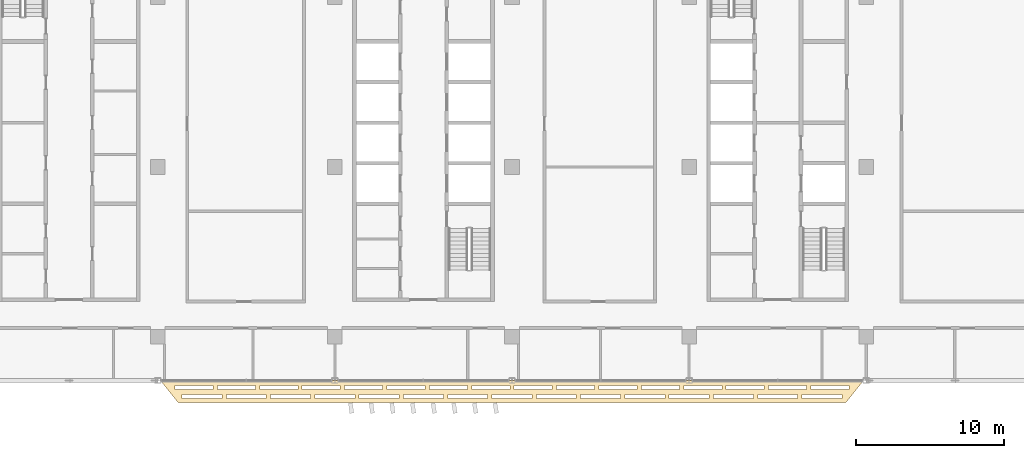
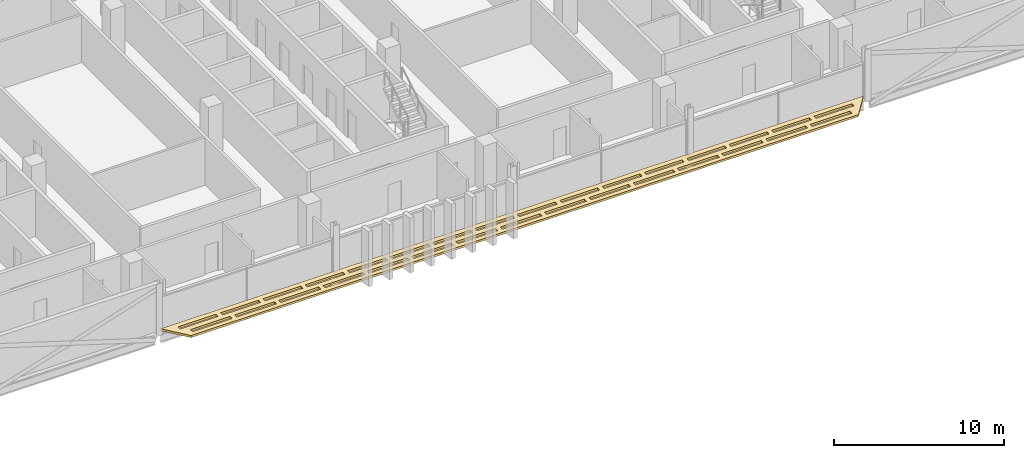
# One storey, part 29 of 33: 1 covering.
"""IFC4 building model written with IfcOpenShell, lengths in metres."""

from ifc_helpers import new_model, si_unit, direction, frame, origin, place, context, subcontext, project, spatial, polyline, outline, extrude, material, layer, layer_set, type_object, element, save


model = new_model("IFC4")

# Units and contexts
model_context = context("Model", 3, precision=1e-05, world=origin(), true_north=direction((0.0, 1.0)))
body_context = subcontext(model_context, "Body", "Model", "MODEL_VIEW")
ifc_project = project(units=[si_unit("LENGTHUNIT", "METRE"), si_unit("AREAUNIT", "SQUARE_METRE"), si_unit("VOLUMEUNIT", "CUBIC_METRE"), si_unit("PLANEANGLEUNIT", "RADIAN"), si_unit("MASSUNIT", "GRAM", prefix="KILO")], contexts=[model_context])

# Site, building, storey
site_placement = place(None, origin())
site = spatial("IfcSite", under=ifc_project, at=site_placement, CompositionType="ELEMENT")
building_placement = place(site_placement, origin())
building = spatial("IfcBuilding", under=site, at=building_placement, Name="Mahtab Terrace Research Tower", CompositionType="ELEMENT")
storey_placement = place(building_placement, frame((0.0, 0.0, 255.199951171875)))
storey = spatial("IfcBuildingStorey", under=building, at=storey_placement, Name="L62", CompositionType="ELEMENT", Elevation=255.199951171875)

# Covering
ifc_material = material(Name="Black anodised aluminium", Category="aluminium")
ifc_layer = layer(ifc_material, 0.14990234375)
ifc_layer_set = layer_set([ifc_layer], Name="Horizontal sunshade band")
covering_type = type_object("IfcCoveringType", Name="Horizontal sunshade band", PredefinedType="CLADDING", material=ifc_layer_set)
covering_placement = place(storey_placement, frame((0.0, 0.0, -0.14990234375)))
element("IfcCovering", 1, at=covering_placement, inside=storey, type_object=covering_type, Name="Sunshade band L62 27", PredefinedType="CLADDING", context=body_context, shape_type="SweptSolid", body=[
    extrude(outline(polyline([(-17.806884765625, -14.472900390625), (29.806884765625, -14.472900390625), (28.60693359375, -15.972900390625), (-16.60693359375, -15.972900390625), (-17.806884765625, -14.472900390625)]), holes=[polyline([(-16.826904296875, -14.822998046875), (-14.2548828125, -14.822998046875), (-14.2548828125, -15.072998046875), (-16.826904296875, -15.072998046875), (-16.826904296875, -14.822998046875)]), polyline([(-13.955078125, -14.822998046875), (-11.383056640625, -14.822998046875), (-11.383056640625, -15.072998046875), (-13.955078125, -15.072998046875), (-13.955078125, -14.822998046875)]), polyline([(-11.0830078125, -14.822998046875), (-8.510986328125, -14.822998046875), (-8.510986328125, -15.072998046875), (-11.0830078125, -15.072998046875), (-11.0830078125, -14.822998046875)]), polyline([(-8.2109375, -14.822998046875), (-5.638916015625, -14.822998046875), (-5.638916015625, -15.072998046875), (-8.2109375, -15.072998046875), (-8.2109375, -14.822998046875)]), polyline([(-5.337890625, -14.822998046875), (-2.76611328125, -14.822998046875), (-2.76611328125, -15.072998046875), (-5.337890625, -15.072998046875), (-5.337890625, -14.822998046875)]), polyline([(-2.466064453125, -14.822998046875), (0.10595703125, -14.822998046875), (0.10595703125, -15.072998046875), (-2.466064453125, -15.072998046875), (-2.466064453125, -14.822998046875)]), polyline([(0.406005859375, -14.822998046875), (2.97802734375, -14.822998046875), (2.97802734375, -15.072998046875), (0.406005859375, -15.072998046875), (0.406005859375, -14.822998046875)]), polyline([(3.278076171875, -14.822998046875), (5.85009765625, -14.822998046875), (5.85009765625, -15.072998046875), (3.278076171875, -15.072998046875), (3.278076171875, -14.822998046875)]), polyline([(6.14990234375, -14.822998046875), (8.721923828125, -14.822998046875), (8.721923828125, -15.072998046875), (6.14990234375, -15.072998046875), (6.14990234375, -14.822998046875)]), polyline([(9.02197265625, -14.822998046875), (11.593994140625, -14.822998046875), (11.593994140625, -15.072998046875), (9.02197265625, -15.072998046875), (9.02197265625, -14.822998046875)]), polyline([(11.89404296875, -14.822998046875), (14.466064453125, -14.822998046875), (14.466064453125, -15.072998046875), (11.89404296875, -15.072998046875), (11.89404296875, -14.822998046875)]), polyline([(14.76611328125, -14.822998046875), (17.337890625, -14.822998046875), (17.337890625, -15.072998046875), (14.76611328125, -15.072998046875), (14.76611328125, -14.822998046875)]), polyline([(17.637939453125, -14.822998046875), (20.2109375, -14.822998046875), (20.2109375, -15.072998046875), (17.637939453125, -15.072998046875), (17.637939453125, -14.822998046875)]), polyline([(20.510986328125, -14.822998046875), (23.0830078125, -14.822998046875), (23.0830078125, -15.072998046875), (20.510986328125, -15.072998046875), (20.510986328125, -14.822998046875)]), polyline([(23.383056640625, -14.822998046875), (25.955078125, -14.822998046875), (25.955078125, -15.072998046875), (23.383056640625, -15.072998046875), (23.383056640625, -14.822998046875)]), polyline([(26.2548828125, -14.822998046875), (28.826904296875, -14.822998046875), (28.826904296875, -15.072998046875), (26.2548828125, -15.072998046875), (26.2548828125, -14.822998046875)]), polyline([(-16.346923828125, -15.423095703125), (-13.64697265625, -15.423095703125), (-13.64697265625, -15.673095703125), (-16.346923828125, -15.673095703125), (-16.346923828125, -15.423095703125)]), polyline([(-13.346923828125, -15.423095703125), (-10.64794921875, -15.423095703125), (-10.64794921875, -15.673095703125), (-13.346923828125, -15.673095703125), (-13.346923828125, -15.423095703125)]), polyline([(-10.347900390625, -15.423095703125), (-7.64794921875, -15.423095703125), (-7.64794921875, -15.673095703125), (-10.347900390625, -15.673095703125), (-10.347900390625, -15.423095703125)]), polyline([(-7.347900390625, -15.423095703125), (-4.64892578125, -15.423095703125), (-4.64892578125, -15.673095703125), (-7.347900390625, -15.673095703125), (-7.347900390625, -15.423095703125)]), polyline([(-4.34912109375, -15.423095703125), (-1.64892578125, -15.423095703125), (-1.64892578125, -15.673095703125), (-4.34912109375, -15.673095703125), (-4.34912109375, -15.423095703125)]), polyline([(-1.34912109375, -15.423095703125), (1.35107421875, -15.423095703125), (1.35107421875, -15.673095703125), (-1.34912109375, -15.673095703125), (-1.34912109375, -15.423095703125)]), polyline([(1.65087890625, -15.423095703125), (4.35009765625, -15.423095703125), (4.35009765625, -15.673095703125), (1.65087890625, -15.673095703125), (1.65087890625, -15.423095703125)]), polyline([(4.64990234375, -15.423095703125), (7.35009765625, -15.423095703125), (7.35009765625, -15.673095703125), (4.64990234375, -15.673095703125), (4.64990234375, -15.423095703125)]), polyline([(7.64990234375, -15.423095703125), (10.34912109375, -15.423095703125), (10.34912109375, -15.673095703125), (7.64990234375, -15.673095703125), (7.64990234375, -15.423095703125)]), polyline([(10.64892578125, -15.423095703125), (13.34912109375, -15.423095703125), (13.34912109375, -15.673095703125), (10.64892578125, -15.673095703125), (10.64892578125, -15.423095703125)]), polyline([(13.64892578125, -15.423095703125), (16.34912109375, -15.423095703125), (16.34912109375, -15.673095703125), (13.64892578125, -15.673095703125), (13.64892578125, -15.423095703125)]), polyline([(16.64892578125, -15.423095703125), (19.347900390625, -15.423095703125), (19.347900390625, -15.673095703125), (16.64892578125, -15.673095703125), (16.64892578125, -15.423095703125)]), polyline([(19.64794921875, -15.423095703125), (22.347900390625, -15.423095703125), (22.347900390625, -15.673095703125), (19.64794921875, -15.673095703125), (19.64794921875, -15.423095703125)]), polyline([(22.64794921875, -15.423095703125), (25.346923828125, -15.423095703125), (25.346923828125, -15.673095703125), (22.64794921875, -15.673095703125), (22.64794921875, -15.423095703125)]), polyline([(25.64697265625, -15.423095703125), (28.346923828125, -15.423095703125), (28.346923828125, -15.673095703125), (25.64697265625, -15.673095703125), (25.64697265625, -15.423095703125)])]), origin(), (0.0, 0.0, 1.0), 0.14990234375),
])

save(model, "model.ifc")
